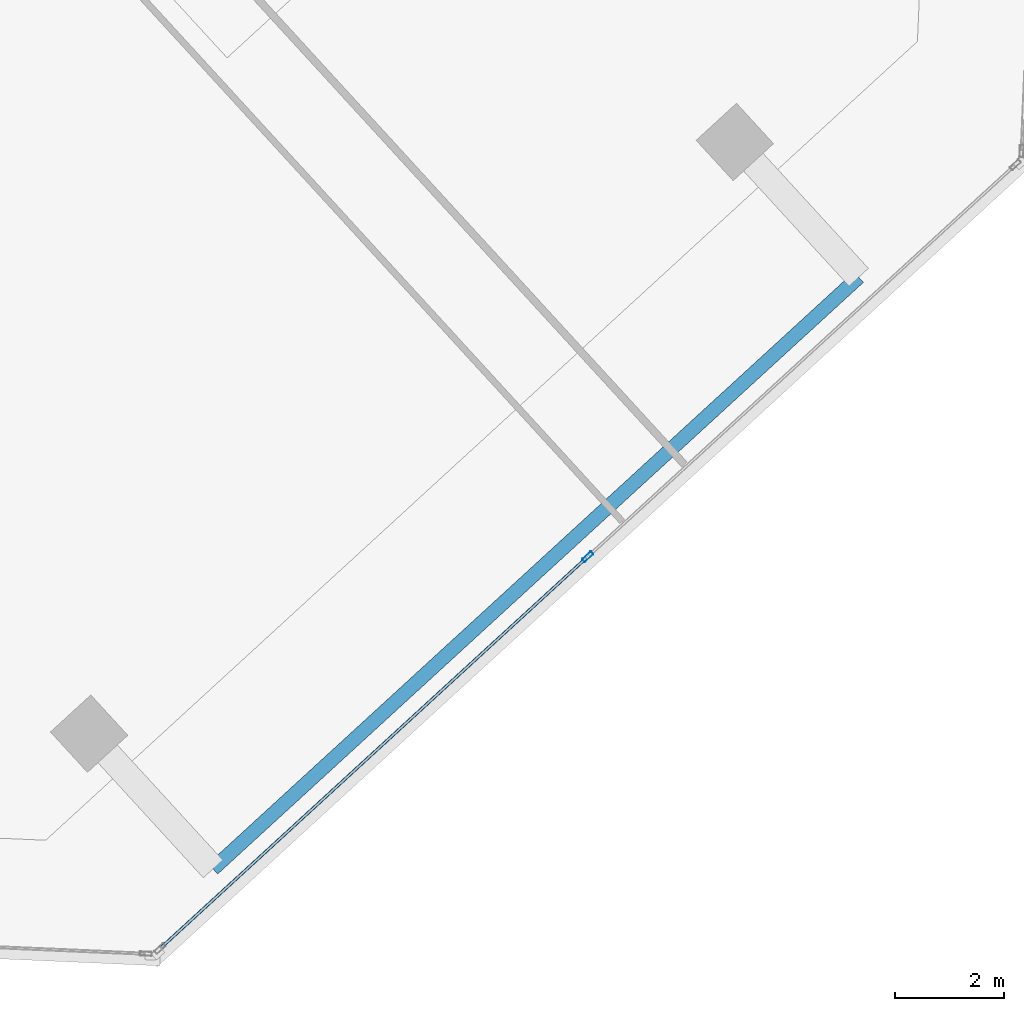
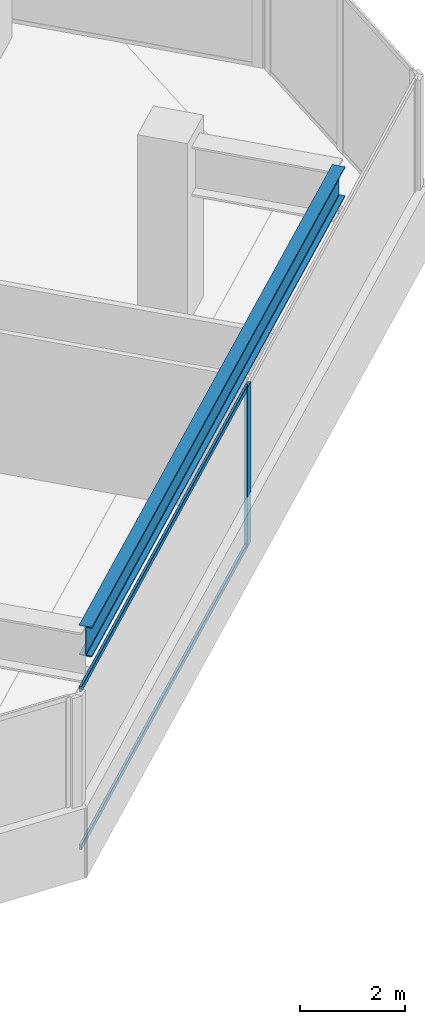
# One storey, part 5 of 18: 3 members, 1 beam, 1 element without a shape of its own.
"""IFC4 building model written with IfcOpenShell, lengths in metres."""

from ifc_helpers import new_model, si_unit, direction, frame, origin, origin_2d, place, context, subcontext, project, spatial, hollow_rectangle, i_section, extrude, source, transform, mapped, material, material_profile, profile_set, type_object, element, aggregate, save


model = new_model("IFC4")

# Units and contexts
model_context = context("Model", 3, precision=1e-05, world=origin(), true_north=direction((0.0, 1.0)))
body_context = subcontext(model_context, "Body", "Model", "MODEL_VIEW")
ifc_project = project(units=[si_unit("LENGTHUNIT", "METRE"), si_unit("AREAUNIT", "SQUARE_METRE"), si_unit("VOLUMEUNIT", "CUBIC_METRE"), si_unit("PLANEANGLEUNIT", "RADIAN"), si_unit("MASSUNIT", "GRAM", prefix="KILO")], contexts=[model_context])

# Site, building, storey
site_placement = place(None, origin())
site = spatial("IfcSite", under=ifc_project, at=site_placement, CompositionType="ELEMENT")
building_placement = place(site_placement, origin())
building = spatial("IfcBuilding", under=site, at=building_placement, Name="Torre Montelarca", CompositionType="ELEMENT")
storey_placement = place(building_placement, frame((0.0, 0.0, 258.39990234375)))
storey = spatial("IfcBuildingStorey", under=building, at=storey_placement, Name="L58", CompositionType="ELEMENT", Elevation=258.39990234375)

# Beam
ifc_material_1 = material(Name="Steel ASTM A992 Grade 50", Category="steel")
ifc_material_profile_1 = material_profile(ifc_material_1, i_section(OverallWidth=0.256103515625, OverallDepth=0.693115234375, WebThickness=0.014404296875, FlangeThickness=0.023681640625, FilletRadius=0.01806640625, at=origin_2d()), Name="W690X170", Category="steel")
ifc_profile_set_1 = profile_set([ifc_material_profile_1], Name="Steel ASTM A992 Grade 50")
beam_type = type_object("IfcBeamType", Name="BM-G-W690-EXT", PredefinedType="BEAM", material=ifc_profile_set_1)
shared_shape_1 = source(origin(), body_context, "Body", "SweptSolid", [
    extrude(i_section(OverallWidth=0.256103515625, OverallDepth=0.693115234375, WebThickness=0.014404296875, FlangeThickness=0.023681640625, FilletRadius=0.01806640625, at=origin_2d()), origin(), (0.0, 0.0, 1.0), 16.0),
])
beam_placement = place(storey_placement, frame((31.714599609375, 9.01123046875, 3.614013671875), z_axis=(0.737271938008, 0.675596099327, 0.0), x_axis=(-0.675596099327, 0.737271938008, 0.0)))
element("IfcBeam", 1, at=beam_placement, inside=storey, type_object=beam_type, Name="L58 Sliding Tray Edge Girder East 24-40m (FLR)", PredefinedType="BEAM", context=body_context, shape_type="MappedRepresentation", body=[
    mapped(shared_shape_1, transform((0.0, 0.0, 0.0), scale=1.0)),
])

# Curtain wall, members
ifc_material_2 = material(Name="Insulated low-E laminated glass", Category="glass")
curtain_wall_type = type_object("IfcCurtainWallType", Name="CW-SYS-Z3", PredefinedType="USERDEFINED", material=ifc_material_2)
curtain_wall_placement = place(storey_placement, origin())
curtain_wall = element("IfcCurtainWall", 2, at=curtain_wall_placement, inside=storey, type_object=curtain_wall_type, Name="L58 Curtain Wall Run CW-T3-L58-E06-B1", ObjectType="UNITISED GLAZING", PredefinedType="USERDEFINED")
ifc_material_3 = material(Name="Anodised aluminium AA 6063-T6", Category="aluminium")
ifc_material_profile_2 = material_profile(ifc_material_3, hollow_rectangle(XDim=0.054931640625, YDim=0.1201171875, WallThickness=0.00341796875, InnerFilletRadius=0.00341796875, OuterFilletRadius=0.007080078125, at=origin_2d()), Name="ALU55X120X3.5", Category="aluminium")
ifc_profile_set_2 = profile_set([ifc_material_profile_2], Name="Anodised aluminium AA 6063-T6")
member_type_1 = type_object("IfcMemberType", Name="CWT-ALU120", PredefinedType="USERDEFINED", material=ifc_profile_set_2)
shared_shape_2 = source(origin(), body_context, "Body", "SweptSolid", [
    extrude(hollow_rectangle(XDim=0.054931640625, YDim=0.1201171875, WallThickness=0.00341796875, InnerFilletRadius=0.00341796875, OuterFilletRadius=0.007080078125, at=origin_2d()), origin(), (0.0, 0.0, 1.0), 10.521728515625),
])
member_1_placement = place(storey_placement, frame((30.775146484375, 7.58056640625, 0.027587890625), z_axis=(0.737271635659, 0.675596429277, 0.0), x_axis=(-0.675596429277, 0.737271635659, 0.0)))
member_1 = element("IfcMember", 3, at=member_1_placement, type_object=member_type_1, Name="CW transom 1.1", ObjectType="TRANSOM", PredefinedType="USERDEFINED", context=body_context, shape_type="MappedRepresentation", body=[
    mapped(shared_shape_2, transform((0.0, 0.0, 0.0), scale=1.0)),
])
member_2_placement = place(storey_placement, frame((30.775146484375, 7.58056640625, 3.692626953125), z_axis=(0.737271635659, 0.675596429277, 0.0), x_axis=(-0.675596429277, 0.737271635659, 0.0)))
member_2 = element("IfcMember", 4, at=member_2_placement, type_object=member_type_1, Name="CW transom 1.2", ObjectType="TRANSOM", PredefinedType="USERDEFINED", context=body_context, shape_type="MappedRepresentation", body=[
    mapped(shared_shape_2, transform((0.0, 0.0, 0.0), scale=1.0)),
])
ifc_material_profile_3 = material_profile(ifc_material_3, hollow_rectangle(XDim=0.074951171875, YDim=0.219970703125, WallThickness=0.0048828125, InnerFilletRadius=0.0048828125, OuterFilletRadius=0.010009765625, at=origin_2d()), Name="ALU75X220X5", Category="aluminium")
ifc_profile_set_3 = profile_set([ifc_material_profile_3], Name="Anodised aluminium AA 6063-T6")
member_type_2 = type_object("IfcMemberType", Name="CWM-ALU220", PredefinedType="MULLION", material=ifc_profile_set_3)
shared_shape_3 = source(origin(), body_context, "Body", "SweptSolid", [
    extrude(hollow_rectangle(XDim=0.074951171875, YDim=0.219970703125, WallThickness=0.0048828125, InnerFilletRadius=0.0048828125, OuterFilletRadius=0.010009765625, at=origin_2d()), origin(), (0.0, 0.0, 1.0), 3.72021484375),
])
member_3_placement = place(storey_placement, frame((38.56005859375, 14.71435546875, 0.0), z_axis=(0.0, 0.0, 1.0), x_axis=(-0.675587287841, 0.73728001228, 0.0)))
member_3 = element("IfcMember", 5, at=member_3_placement, type_object=member_type_2, Name="CW mullion 2", PredefinedType="MULLION", context=body_context, shape_type="MappedRepresentation", body=[
    mapped(shared_shape_3, transform((0.0, 0.0, 0.0), scale=1.0)),
])
aggregate(curtain_wall, [member_3, member_1, member_2])

save(model, "model.ifc")
